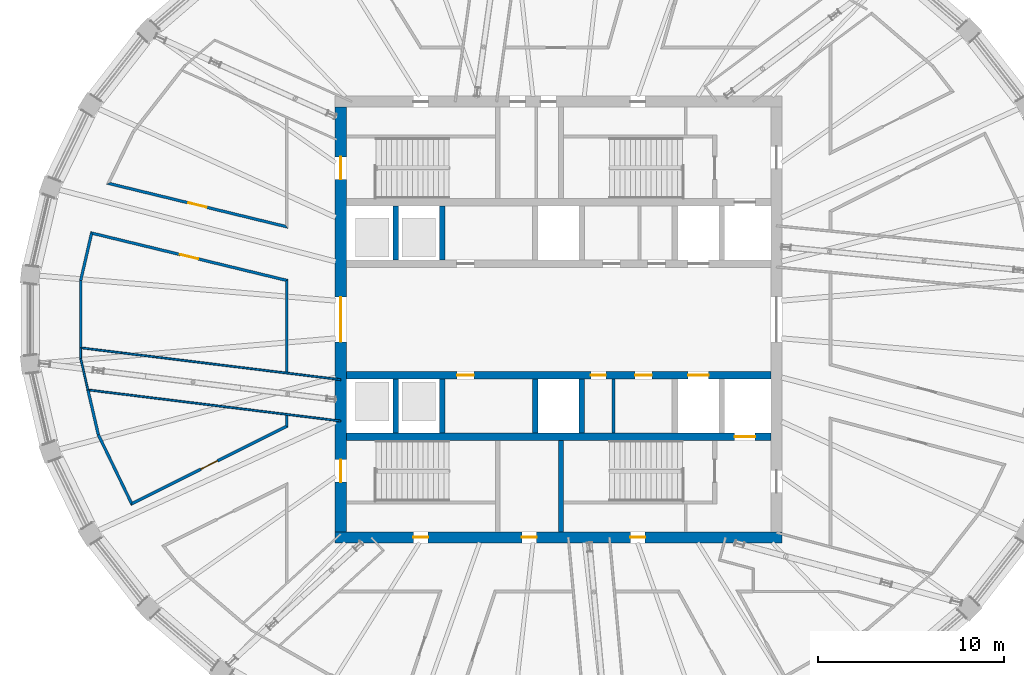
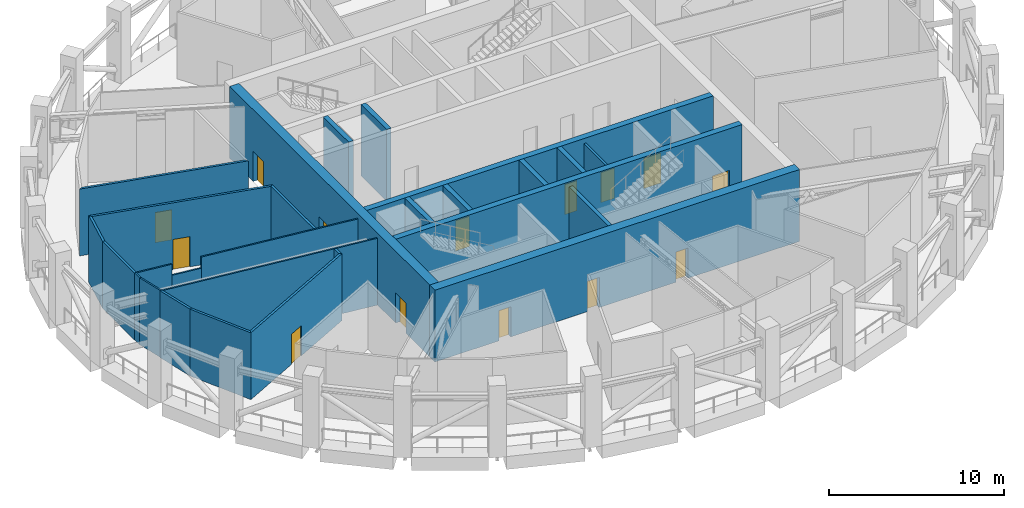
# One storey, part 8 of 20: 27 walls, 14 doors, 14 openings.
"""IFC4 building model written with IfcOpenShell, lengths in metres."""

from ifc_helpers import new_model, si_unit, direction, frame, frame_2d, origin, place, context, subcontext, project, spatial, polyline, rectangle, outline, extrude, material, layer, layer_set, type_object, element, fill, save


model = new_model("IFC4")

# Units and contexts
model_context = context("Model", 3, precision=1e-05, world=origin(), true_north=direction((0.0, 1.0)))
body_context = subcontext(model_context, "Body", "Model", "MODEL_VIEW")
ifc_project = project(units=[si_unit("LENGTHUNIT", "METRE"), si_unit("AREAUNIT", "SQUARE_METRE"), si_unit("VOLUMEUNIT", "CUBIC_METRE"), si_unit("PLANEANGLEUNIT", "RADIAN"), si_unit("MASSUNIT", "GRAM", prefix="KILO")], contexts=[model_context])

# Site, building, storey
site_placement = place(None, origin())
site = spatial("IfcSite", under=ifc_project, at=site_placement, CompositionType="ELEMENT")
building_placement = place(site_placement, origin())
building = spatial("IfcBuilding", under=site, at=building_placement, Name="Halqa Exchange Tower", CompositionType="ELEMENT")
storey_placement = place(building_placement, frame((0.0, 0.0, 328.300048828125)))
storey = spatial("IfcBuildingStorey", under=building, at=storey_placement, Name="L77", CompositionType="ELEMENT", Elevation=328.300048828125)

# Walls
ifc_material_1 = material(Name="Fire-rated gypsum board")
ifc_layer_1 = layer(ifc_material_1, 0.14990234375)
ifc_layer_set_1 = layer_set([ifc_layer_1], Name="Fire-rated gypsum board")
wall_type_1 = type_object("IfcWallType", Name="Fire partition EI 60 150", PredefinedType="PARTITIONING", material=ifc_layer_set_1)
wall_1_placement = place(storey_placement, frame((-25.659912109375, 2.0986328125, 0.0), z_axis=(0.0, 0.0, 1.0), x_axis=(0.0, -1.0, 0.0)))
element("IfcWall", 1, at=wall_1_placement, inside=storey, type_object=wall_type_1, Name="L77-PWL-004", PredefinedType="PARTITIONING", context=body_context, shape_type="SweptSolid", body=[
    extrude(outline(polyline([(3.61865234375, 0.074951171875), (1.81787109375, 0.074951171875), (0.01708984375, 0.074951171875), (0.0, -0.074951171875), (1.809326171875, -0.074951171875), (3.61865234375, -0.074951171875), (3.61865234375, 0.074951171875)])), origin(), (0.0, 0.0, 1.0), 4.64990234375),
])
wall_2_placement = place(storey_placement, frame((-25.27001953125, -3.780029296875, 0.0), z_axis=(0.0, 0.0, 1.0), x_axis=(0.226374638152, -0.974040308818, 0.0)))
element("IfcWall", 2, at=wall_2_placement, inside=storey, type_object=wall_type_1, Name="L77-PWL-005", PredefinedType="PARTITIONING", context=body_context, shape_type="SweptSolid", body=[
    extrude(outline(polyline([(0.0, -0.074951171875), (2.482421875, -0.074951171875), (2.4658203125, 0.074951171875), (0.0, 0.074951171875), (0.0, -0.074951171875)])), origin(), (0.0, 0.0, 1.0), 4.64990234375),
])
wall_3_placement = place(storey_placement, frame((-25.052978515625, 4.7138671875, 0.0), z_axis=(0.0, 0.0, 1.0), x_axis=(-0.225380874536, -0.974270733109, 0.0)))
element("IfcWall", 3, at=wall_3_placement, inside=storey, type_object=wall_type_1, Name="L77-PWL-007", PredefinedType="PARTITIONING", context=body_context, shape_type="SweptSolid", body=[
    extrude(outline(polyline([(2.70166015625, -0.074951171875), (2.70166015625, -0.074462890625), (2.6845703125, 0.074951171875), (1.41796875, 0.074951171875), (0.151611328125, 0.074951171875), (0.0, -0.074951171875), (0.0, -0.074951171875), (1.350830078125, -0.074951171875), (2.70166015625, -0.074951171875)])), origin(), (0.0, 0.0, 1.0), 4.64990234375),
])
wall_4_placement = place(storey_placement, frame((-24.713623046875, -6.1826171875, 0.0), z_axis=(0.0, 0.0, 1.0), x_axis=(0.435487900819, -0.900194583543, 0.0)))
element("IfcWall", 4, at=wall_4_placement, inside=storey, type_object=wall_type_1, Name="L77-PWL-008", PredefinedType="PARTITIONING", context=body_context, shape_type="SweptSolid", body=[
    extrude(outline(polyline([(0.0, -0.074951171875), (1.398193359375, -0.074951171875), (2.79638671875, -0.074951171875), (4.194580078125, -0.074951171875), (4.042724609375, 0.074951171875), (2.70068359375, 0.074951171875), (1.358642578125, 0.074951171875), (0.0166015625, 0.074951171875), (0.0, -0.07373046875), (0.0, -0.074951171875)])), origin(), (0.0, 0.0, 1.0), 4.64990234375),
])

# Wall, opening, door
wall_5_placement = place(storey_placement, frame((-24.26025390625, 7.33203125, 0.0), z_axis=(0.0, 0.0, 1.0), x_axis=(0.971617763283, -0.236556382439, 0.0)))
wall_5 = element("IfcWall", 5, at=wall_5_placement, inside=storey, type_object=wall_type_1, Name="L77-PWL-009", PredefinedType="PARTITIONING", context=body_context, shape_type="SweptSolid", body=[
    extrude(outline(polyline([(0.000244140625, -0.074951171875), (1.673095703125, -0.074951171875), (3.345947265625, -0.074951171875), (5.01904296875, -0.074951171875), (6.69189453125, -0.074951171875), (8.36474609375, -0.074951171875), (10.037841796875, -0.074951171875), (9.846923828125, 0.074951171875), (7.914794921875, 0.074951171875), (5.982421875, 0.074951171875), (4.05029296875, 0.074951171875), (2.117919921875, 0.074951171875), (0.185791015625, 0.074951171875), (0.000244140625, -0.074951171875)])), origin(), (0.0, 0.0, 1.0), 4.64990234375),
])
opening_1_placement = place(wall_5_placement, frame((4.517578125, 0.0, 0.0)))
opening_1 = element("IfcOpeningElement", 6, at=opening_1_placement, cuts=wall_5, Name="Opening L77-14", PredefinedType="OPENING", context=body_context, shape_type="SweptSolid", body=[
    extrude(rectangle(XDim=1.0, YDim=2.10009765625, at=frame_2d((0.5, 1.050048828125))), frame((0.0, 0.0869140625, 0.0), z_axis=(0.0, -1.0, 0.0), x_axis=(1.0, 0.0, 0.0)), (0.0, 0.0, 1.0), 0.173828125),
])
ifc_material_2 = material(Name="Steel fire door leaf", Category="steel")
door_type_1 = type_object("IfcDoorType", Name="Fire door FD30S 1000 x 2100", OperationType="SINGLE_SWING_LEFT", PredefinedType="DOOR", material=ifc_material_2)
door_1_placement = place(opening_1_placement, origin())
door_1 = element("IfcDoor", 7, at=door_1_placement, inside=storey, type_object=door_type_1, Name="L77-IDR-014", OperationType="SINGLE_SWING_RIGHT", OverallHeight=2.10009765625, OverallWidth=1.0, PredefinedType="DOOR", context=body_context, shape_type="SweptSolid", body=[
    extrude(rectangle(XDim=1.0, YDim=2.10009765625, at=frame_2d((0.5, 1.050048828125))), frame((0.0, 0.02490234375, 0.0), z_axis=(0.0, -1.0, 0.0), x_axis=(1.0, 0.0, 0.0)), (0.0, 0.0, 1.0), 0.050048828125),
])
fill(opening_1, door_1)

wall_6_placement = place(storey_placement, frame((-22.988037109375, -9.924072265625, 0.0), z_axis=(0.0, 0.0, 1.0), x_axis=(0.894422009939, 0.447223957471, 0.0)))
wall_6 = element("IfcWall", 8, at=wall_6_placement, inside=storey, type_object=wall_type_1, Name="L77-PWL-010", PredefinedType="PARTITIONING", context=body_context, shape_type="SweptSolid", body=[
    extrude(outline(polyline([(0.0, -0.074951171875), (1.885009765625, -0.074951171875), (3.769775390625, -0.074951171875), (5.65478515625, -0.074951171875), (7.53955078125, -0.074951171875), (9.42431640625, -0.074951171875), (9.331787109375, 0.074951171875), (7.495849609375, 0.074951171875), (5.659912109375, 0.074951171875), (3.823974609375, 0.074951171875), (1.988037109375, 0.074951171875), (0.152099609375, 0.074951171875), (0.0, -0.074951171875)])), origin(), (0.0, 0.0, 1.0), 4.64990234375),
])
opening_2_placement = place(wall_6_placement, frame((4.22705078125, 0.0, 0.0)))
opening_2 = element("IfcOpeningElement", 9, at=opening_2_placement, cuts=wall_6, Name="Opening L77-01", PredefinedType="OPENING", context=body_context, shape_type="SweptSolid", body=[
    extrude(rectangle(XDim=1.0, YDim=2.10009765625, at=frame_2d((0.5, 1.050048828125))), frame((0.0, 0.0869140625, 0.0), z_axis=(0.0, -1.0, 0.0), x_axis=(1.0, 0.0, 0.0)), (0.0, 0.0, 1.0), 0.173828125),
])
door_2_placement = place(opening_2_placement, origin())
door_2 = element("IfcDoor", 10, at=door_2_placement, inside=storey, type_object=door_type_1, Name="L77-IDR-001", OperationType="SINGLE_SWING_RIGHT", OverallHeight=2.10009765625, OverallWidth=1.0, PredefinedType="DOOR", context=body_context, shape_type="SweptSolid", body=[
    extrude(rectangle(XDim=1.0, YDim=2.10009765625, at=frame_2d((0.5, 1.050048828125))), frame((0.0, 0.02490234375, 0.0), z_axis=(0.0, -1.0, 0.0), x_axis=(1.0, 0.0, 0.0)), (0.0, 0.0, 1.0), 0.050048828125),
])
fill(opening_2, door_2)

# Walls
wall_7_placement = place(storey_placement, frame((-14.60009765625, -5.7763671875, 0.0), z_axis=(0.0, 0.0, 1.0), x_axis=(0.0, 1.0, 0.0)))
element("IfcWall", 11, at=wall_7_placement, inside=storey, type_object=wall_type_1, Name="L77-PWL-026", PredefinedType="PARTITIONING", context=body_context, shape_type="SweptSolid", body=[
    extrude(outline(polyline([(0.0, -0.074951171875), (0.62353515625, -0.074951171875), (0.641845703125, 0.072998046875), (0.641845703125, 0.074951171875), (0.0927734375, 0.074951171875), (0.0927734375, 0.074951171875), (0.0927734375, 0.074951171875), (0.04638671875, 0.0), (0.0, -0.074951171875)])), origin(), (0.0, 0.0, 1.0), 4.64990234375),
])
wall_8_placement = place(storey_placement, frame((-14.60009765625, -2.83349609375, 0.0), z_axis=(0.0, 0.0, 1.0), x_axis=(0.0, 1.0, 0.0)))
element("IfcWall", 12, at=wall_8_placement, inside=storey, type_object=wall_type_1, Name="L77-PWL-027", PredefinedType="PARTITIONING", context=body_context, shape_type="SweptSolid", body=[
    extrude(outline(polyline([(0.0, -0.074951171875), (1.6640625, -0.074951171875), (3.328125, -0.074951171875), (4.992431640625, -0.074951171875), (4.93359375, 0.0), (4.87451171875, 0.074951171875), (4.87451171875, 0.074951171875), (4.87451171875, 0.074951171875), (3.255859375, 0.074951171875), (1.636962890625, 0.074951171875), (0.018310546875, 0.074951171875), (0.0, -0.073974609375), (0.0, -0.074951171875)])), origin(), (0.0, 0.0, 1.0), 4.64990234375),
])

# Wall, opening, door
wall_9_placement = place(storey_placement, frame((-14.542724609375, 2.086181640625, 0.0), z_axis=(0.0, 0.0, 1.0), x_axis=(-0.971811892491, 0.23575759927, 0.0)))
wall_9 = element("IfcWall", 13, at=wall_9_placement, inside=storey, type_object=wall_type_1, Name="L77-PWL-028", PredefinedType="PARTITIONING", context=body_context, shape_type="SweptSolid", body=[
    extrude(outline(polyline([(0.0, -0.074951171875), (1.818115234375, -0.074951171875), (3.63623046875, -0.074951171875), (5.4541015625, -0.074951171875), (7.272216796875, -0.074951171875), (9.09033203125, -0.074951171875), (10.908447265625, -0.074951171875), (10.7568359375, 0.074951171875), (8.983642578125, 0.074951171875), (7.21044921875, 0.074951171875), (5.437255859375, 0.074951171875), (3.6640625, 0.074951171875), (1.890869140625, 0.074951171875), (0.117919921875, 0.074951171875), (0.0, -0.074951171875), (0.0, -0.074951171875)])), origin(), (0.0, 0.0, 1.0), 4.64990234375),
])
opening_3_placement = place(wall_9_placement, frame((4.94580078125, 0.0, 0.0)))
opening_3 = element("IfcOpeningElement", 14, at=opening_3_placement, cuts=wall_9, Name="Opening L77-15", PredefinedType="OPENING", context=body_context, shape_type="SweptSolid", body=[
    extrude(rectangle(XDim=1.0, YDim=2.10009765625, at=frame_2d((0.5, 1.050048828125))), frame((0.0, 0.0869140625, 0.0), z_axis=(0.0, -1.0, 0.0), x_axis=(1.0, 0.0, 0.0)), (0.0, 0.0, 1.0), 0.173828125),
])
door_3_placement = place(opening_3_placement, origin())
door_3 = element("IfcDoor", 15, at=door_3_placement, inside=storey, type_object=door_type_1, Name="L77-IDR-015", OperationType="SINGLE_SWING_RIGHT", OverallHeight=2.10009765625, OverallWidth=1.0, PredefinedType="DOOR", context=body_context, shape_type="SweptSolid", body=[
    extrude(rectangle(XDim=1.0, YDim=2.10009765625, at=frame_2d((0.5, 1.050048828125))), frame((0.0, 0.02490234375, 0.0), z_axis=(0.0, -1.0, 0.0), x_axis=(1.0, 0.0, 0.0)), (0.0, 0.0, 1.0), 0.050048828125),
])
fill(opening_3, door_3)

# Walls
ifc_material_3 = material(Name="Gypsum board")
ifc_layer_2 = layer(ifc_material_3, 0.10009765625)
ifc_layer_set_2 = layer_set([ifc_layer_2], Name="Gypsum board")
wall_type_2 = type_object("IfcWallType", Name="Partition 100 gypsum", PredefinedType="PARTITIONING", material=ifc_layer_set_2)
wall_10_placement = place(storey_placement, frame((-25.661376953125, -2.08447265625, 0.0), z_axis=(0.0, 0.0, 1.0), x_axis=(0.224900492943, -0.974381736423, 0.0)))
element("IfcWall", 16, at=wall_10_placement, inside=storey, type_object=wall_type_2, Name="L77-PWL-001", PredefinedType="PARTITIONING", context=body_context, shape_type="SweptSolid", body=[
    extrude(outline(polyline([(1.740234375, 0.050048828125), (0.011474609375, 0.050048828125), (0.0, -0.0498046875), (0.0, -0.050048828125), (1.740234375, -0.050048828125), (1.740234375, 0.050048828125)])), origin(), (0.0, 0.0, 1.0), 4.64990234375),
])
wall_11_placement = place(storey_placement, frame((-25.659912109375, -1.52001953125, 0.0), z_axis=(0.0, 0.0, 1.0), x_axis=(0.0, -1.0, 0.0)))
element("IfcWall", 17, at=wall_11_placement, inside=storey, type_object=wall_type_2, Name="L77-PWL-002", PredefinedType="PARTITIONING", context=body_context, shape_type="SweptSolid", body=[
    extrude(outline(polyline([(0.0, -0.050048828125), (0.57568359375, -0.050048828125), (0.564208984375, 0.050048828125), (0.0, 0.050048828125), (0.0, -0.050048828125)])), origin(), (0.0, 0.0, 1.0), 4.64990234375),
])
wall_12_placement = place(storey_placement, frame((-25.603515625, -1.52685546875, 0.0), z_axis=(0.0, 0.0, 1.0), x_axis=(0.992575334339, -0.12163143369, 0.0)))
element("IfcWall", 18, at=wall_12_placement, inside=storey, type_object=wall_type_2, Name="L77-PWL-003", PredefinedType="PARTITIONING", context=body_context, shape_type="SweptSolid", body=[
    extrude(outline(polyline([(2.17578125, 0.050048828125), (0.012451171875, 0.050048828125), (0.017578125, 0.009033203125), (0.0, 0.0068359375), (0.0, -0.050048828125), (2.17578125, -0.050048828125), (2.17578125, 0.050048828125)])), origin(), (0.0, 0.0, 1.0), 4.64990234375),
])
wall_13_placement = place(storey_placement, frame((-25.23486328125, -3.7841796875, 0.0), z_axis=(0.0, 0.0, 1.0), x_axis=(0.992511578582, -0.122150588948, 0.0)))
element("IfcWall", 19, at=wall_13_placement, inside=storey, type_object=wall_type_2, Name="L77-PWL-006", PredefinedType="PARTITIONING", context=body_context, shape_type="SweptSolid", body=[
    extrude(outline(polyline([(0.062744140625, -0.050048828125), (1.8515625, -0.050048828125), (3.640380859375, -0.050048828125), (5.428955078125, -0.050048828125), (7.2177734375, -0.050048828125), (9.006591796875, -0.050048828125), (10.795166015625, -0.050048828125), (10.796875, -0.0498046875), (10.796875, -0.050048828125), (12.216796875, -0.050048828125), (13.636962890625, -0.050048828125), (13.636962890625, 0.050048828125), (11.688720703125, 0.050048828125), (9.74072265625, 0.050048828125), (7.79248046875, 0.050048828125), (5.844482421875, 0.050048828125), (3.896240234375, 0.050048828125), (1.9482421875, 0.050048828125), (0.0, 0.050048828125), (0.0, 0.048828125), (0.011474609375, 0.01708984375), (0.03515625, 0.025634765625), (0.062744140625, -0.050048828125)])), origin(), (0.0, 0.0, 1.0), 4.64990234375),
])
wall_14_placement = place(storey_placement, frame((-23.44384765625, -1.79150390625, 0.0), z_axis=(0.0, 0.0, 1.0), x_axis=(0.992587046321, -0.121535819719, 0.0)))
element("IfcWall", 20, at=wall_14_placement, inside=storey, type_object=wall_type_2, Name="L77-PWL-097", PredefinedType="PARTITIONING", context=body_context, shape_type="SweptSolid", body=[
    extrude(outline(polyline([(0.0, 0.050048828125), (0.0, -0.050048828125), (1.828125, -0.050048828125), (1.828125, 0.050048828125), (0.0, 0.050048828125)])), origin(), (0.0, 0.0, 1.0), 3.8798828125),
])
wall_15_placement = place(storey_placement, frame((-21.62939453125, -2.013671875, 0.0), z_axis=(0.0, 0.0, 1.0), x_axis=(0.992580859713, -0.121586335302, 0.0)))
element("IfcWall", 21, at=wall_15_placement, inside=storey, type_object=wall_type_2, Name="L77-PWL-098", PredefinedType="PARTITIONING", context=body_context, shape_type="SweptSolid", body=[
    extrude(outline(polyline([(0.0, 0.050048828125), (0.0, -0.050048828125), (1.667236328125, -0.050048828125), (3.33447265625, -0.050048828125), (5.001953125, -0.050048828125), (6.669189453125, -0.050048828125), (8.33642578125, -0.050048828125), (10.003662109375, -0.050048828125), (10.003662109375, 0.050048828125), (8.33642578125, 0.050048828125), (6.669189453125, 0.050048828125), (5.001953125, 0.050048828125), (3.33447265625, 0.050048828125), (1.667236328125, 0.050048828125), (0.0, 0.050048828125)])), origin(), (0.0, 0.0, 1.0), 4.64990234375),
])
ifc_layer_3 = layer(ifc_material_3, 0.14990234375)
ifc_layer_set_3 = layer_set([ifc_layer_3], Name="Gypsum board")
wall_type_3 = type_object("IfcWallType", Name="Penthouse riser wall 150 gypsum", PredefinedType="PARTITIONING", material=ifc_layer_set_3)
wall_16_placement = place(storey_placement, frame((2.949951171875, -6.10009765625, 0.0), z_axis=(0.0, 0.0, 1.0), x_axis=(0.0, 1.0, 0.0)))
element("IfcWall", 22, at=wall_16_placement, inside=storey, type_object=wall_type_3, Name="Freed bay partition SE2.950", PredefinedType="PARTITIONING", context=body_context, shape_type="SweptSolid", body=[
    extrude(rectangle(XDim=2.900146484375, YDim=0.14990234375, at=frame_2d((1.4501953125, 0.0))), origin(), (0.0, 0.0, 1.0), 4.64990234375),
])
ifc_material_4 = material(Name="Concrete C60/75", Category="concrete")
ifc_layer_4 = layer(ifc_material_4, 0.300048828125)
ifc_layer_set_4 = layer_set([ifc_layer_4], Name="Concrete C60/75")
wall_type_4 = type_object("IfcWallType", Name="RC core wall 300", PredefinedType="SHEAR", material=ifc_layer_set_4)
for number, where, z_axis, x_axis, name in (
    (23, (-8.75, 3.199951171875, 0.0), (0.0, 0.0, 1.0), (0.0, 1.0, 0.0), "Shaft divider N1"),
    (24, (-6.25, 3.199951171875, 0.0), (0.0, 0.0, 1.0), (0.0, 1.0, 0.0), "Shaft divider N2"),
    (25, (-8.75, -6.10009765625, 0.0), (0.0, 0.0, 1.0), (0.0, 1.0, 0.0), "Shaft divider S1"),
    (26, (-6.25, -6.10009765625, 0.0), (0.0, 0.0, 1.0), (0.0, 1.0, 0.0), "Shaft divider S2"),
    (27, (-1.25, -6.10009765625, 0.0), (0.0, 0.0, 1.0), (0.0, 1.0, 0.0), "Shaft divider S4"),
    (28, (1.25, -6.10009765625, 0.0), (0.0, 0.0, 1.0), (0.0, 1.0, 0.0), "Shaft divider S5"),
):
    element("IfcWall", number, at=place(storey_placement, frame(where, z_axis=z_axis, x_axis=x_axis)), inside=storey, type_object=wall_type_4, Name=name, PredefinedType="SHEAR", context=body_context, shape_type="SweptSolid", body=[
        extrude(rectangle(XDim=2.900146484375, YDim=0.300048828125, at=frame_2d((1.4501953125, 0.0))), origin(), (0.0, 0.0, 1.0), 5.0),
    ])

# Wall, openings, doors
ifc_layer_5 = layer(ifc_material_4, 0.39990234375)
ifc_layer_set_5 = layer_set([ifc_layer_5], Name="Concrete C60/75")
wall_type_5 = type_object("IfcWallType", Name="RC core wall 400 C60/75", PredefinedType="SHEAR", material=ifc_layer_set_5)
wall_17_placement = place(storey_placement, frame((-11.39990234375, -3.0, 0.0), z_axis=(0.0, 0.0, 1.0), x_axis=(1.0, 0.0, 0.0)))
wall_17 = element("IfcWall", 29, at=wall_17_placement, inside=storey, type_object=wall_type_5, Name="Lift row front wall S", PredefinedType="SHEAR", context=body_context, shape_type="SweptSolid", body=[
    extrude(rectangle(XDim=22.7998046875, YDim=0.39990234375, at=frame_2d((11.39990234375, 0.0))), origin(), (0.0, 0.0, 1.0), 5.0),
])
opening_4_placement = place(wall_17_placement, frame((18.35009765625, 0.0, 0.0)))
opening_4 = element("IfcOpeningElement", 30, at=opening_4_placement, cuts=wall_17, Name="Opening LD-SV2-L77", PredefinedType="OPENING", context=body_context, shape_type="SweptSolid", body=[
    extrude(rectangle(XDim=1.10009765625, YDim=2.10009765625, at=frame_2d((0.550048828125, 1.050048828125))), frame((0.0, 0.2119140625, 0.0), z_axis=(0.0, -1.0, 0.0), x_axis=(1.0, 0.0, 0.0)), (0.0, 0.0, 1.0), 0.423828125),
])
opening_5_placement = place(wall_17_placement, frame((13.137451171875, 0.0, 0.0)))
opening_5 = element("IfcOpeningElement", 31, at=opening_5_placement, cuts=wall_17, Name="Opening L77-C23", PredefinedType="OPENING", context=body_context, shape_type="SweptSolid", body=[
    extrude(rectangle(XDim=0.800048828125, YDim=2.10009765625, at=frame_2d((0.39990234375, 1.050048828125))), frame((0.0, 0.2119140625, 0.0), z_axis=(0.0, -1.0, 0.0), x_axis=(1.0, 0.0, 0.0)), (0.0, 0.0, 1.0), 0.423828125),
])
opening_6_placement = place(wall_17_placement, frame((15.512451171875, 0.0, 0.0)))
opening_6 = element("IfcOpeningElement", 32, at=opening_6_placement, cuts=wall_17, Name="Opening L77-C24", PredefinedType="OPENING", context=body_context, shape_type="SweptSolid", body=[
    extrude(rectangle(XDim=0.89990234375, YDim=2.10009765625, at=frame_2d((0.449951171875, 1.050048828125))), frame((0.0, 0.2119140625, 0.0), z_axis=(0.0, -1.0, 0.0), x_axis=(1.0, 0.0, 0.0)), (0.0, 0.0, 1.0), 0.423828125),
])
opening_7_placement = place(wall_17_placement, frame((5.949951171875, 0.0, 0.0)))
opening_7 = element("IfcOpeningElement", 33, at=opening_7_placement, cuts=wall_17, Name="Opening L77-C25", PredefinedType="OPENING", context=body_context, shape_type="SweptSolid", body=[
    extrude(rectangle(XDim=0.89990234375, YDim=2.10009765625, at=frame_2d((0.449951171875, 1.050048828125))), frame((0.0, 0.2119140625, 0.0), z_axis=(0.0, -1.0, 0.0), x_axis=(1.0, 0.0, 0.0)), (0.0, 0.0, 1.0), 0.423828125),
])
ifc_material_5 = material(Name="Timber fire door leaf", Category="wood")
door_type_2 = type_object("IfcDoorType", Name="Core room door FD30 900 x 2100", OperationType="SINGLE_SWING_LEFT", PredefinedType="DOOR", material=ifc_material_5)
door_4_placement = place(opening_6_placement, frame((0.89990234375, 0.0, 0.0), z_axis=(0.0, 0.0, 1.0), x_axis=(-1.0, 0.0, 0.0)))
door_4 = element("IfcDoor", 34, at=door_4_placement, inside=storey, type_object=door_type_2, Name="Core room door", OperationType="SINGLE_SWING_LEFT", OverallHeight=2.10009765625, OverallWidth=0.89990234375, PredefinedType="DOOR", context=body_context, shape_type="SweptSolid", body=[
    extrude(rectangle(XDim=0.89990234375, YDim=2.10009765625, at=frame_2d((0.449951171875, 1.050048828125))), frame((0.0, 0.02490234375, 0.0), z_axis=(0.0, -1.0, 0.0), x_axis=(1.0, 0.0, 0.0)), (0.0, 0.0, 1.0), 0.050048828125),
])
fill(opening_6, door_4)
door_5_placement = place(opening_7_placement, frame((0.89990234375, 0.0, 0.0), z_axis=(0.0, 0.0, 1.0), x_axis=(-1.0, 0.0, 0.0)))
door_5 = element("IfcDoor", 35, at=door_5_placement, inside=storey, type_object=door_type_2, Name="Core room door", OperationType="SINGLE_SWING_LEFT", OverallHeight=2.10009765625, OverallWidth=0.89990234375, PredefinedType="DOOR", context=body_context, shape_type="SweptSolid", body=[
    extrude(rectangle(XDim=0.89990234375, YDim=2.10009765625, at=frame_2d((0.449951171875, 1.050048828125))), frame((0.0, 0.02490234375, 0.0), z_axis=(0.0, -1.0, 0.0), x_axis=(1.0, 0.0, 0.0)), (0.0, 0.0, 1.0), 0.050048828125),
])
fill(opening_7, door_5)
ifc_material_6 = material(Name="Stainless steel", Category="steel")
door_type_3 = type_object("IfcDoorType", Name="Lift landing door 1100 x 2100", OperationType="SLIDING_TO_LEFT", PredefinedType="DOOR", material=ifc_material_6)
door_6_placement = place(opening_4_placement, origin())
door_6 = element("IfcDoor", 36, at=door_6_placement, inside=storey, type_object=door_type_3, Name="Lift landing door SV2", OperationType="SLIDING_TO_LEFT", OverallHeight=2.10009765625, OverallWidth=1.10009765625, PredefinedType="DOOR", context=body_context, shape_type="SweptSolid", body=[
    extrude(rectangle(XDim=1.10009765625, YDim=2.10009765625, at=frame_2d((0.550048828125, 1.050048828125))), frame((0.0, 0.02490234375, 0.0), z_axis=(0.0, -1.0, 0.0), x_axis=(1.0, 0.0, 0.0)), (0.0, 0.0, 1.0), 0.050048828125),
])
fill(opening_4, door_6)
door_type_4 = type_object("IfcDoorType", Name="Riser door FD60 800 x 2100", OperationType="SINGLE_SWING_LEFT", PredefinedType="DOOR", material=ifc_material_2)
door_7_placement = place(opening_5_placement, frame((0.800048828125, 0.0, 0.0), z_axis=(0.0, 0.0, 1.0), x_axis=(-1.0, 0.0, 0.0)))
door_7 = element("IfcDoor", 37, at=door_7_placement, inside=storey, type_object=door_type_4, Name="Core room door", OperationType="SINGLE_SWING_RIGHT", OverallHeight=2.10009765625, OverallWidth=0.800048828125, PredefinedType="DOOR", context=body_context, shape_type="SweptSolid", body=[
    extrude(rectangle(XDim=0.800048828125, YDim=2.10009765625, at=frame_2d((0.39990234375, 1.050048828125))), frame((0.0, 0.02490234375, 0.0), z_axis=(0.0, -1.0, 0.0), x_axis=(1.0, 0.0, 0.0)), (0.0, 0.0, 1.0), 0.050048828125),
])
fill(opening_5, door_7)

# Wall, opening, door
wall_18_placement = place(storey_placement, frame((-11.39990234375, -6.300048828125, 0.0), z_axis=(0.0, 0.0, 1.0), x_axis=(1.0, 0.0, 0.0)))
wall_18 = element("IfcWall", 38, at=wall_18_placement, inside=storey, type_object=wall_type_5, Name="Lift row back wall S", PredefinedType="SHEAR", context=body_context, shape_type="SweptSolid", body=[
    extrude(rectangle(XDim=22.7998046875, YDim=0.39990234375, at=frame_2d((11.39990234375, 0.0))), origin(), (0.0, 0.0, 1.0), 5.0),
])
opening_8_placement = place(wall_18_placement, frame((20.85009765625, 0.0, 0.0)))
opening_8 = element("IfcOpeningElement", 39, at=opening_8_placement, cuts=wall_18, Name="Opening LD-FF2-L77", PredefinedType="OPENING", context=body_context, shape_type="SweptSolid", body=[
    extrude(rectangle(XDim=1.10009765625, YDim=2.10009765625, at=frame_2d((0.550048828125, 1.050048828125))), frame((0.0, 0.2119140625, 0.0), z_axis=(0.0, -1.0, 0.0), x_axis=(1.0, 0.0, 0.0)), (0.0, 0.0, 1.0), 0.423828125),
])
door_8_placement = place(opening_8_placement, origin())
door_8 = element("IfcDoor", 40, at=door_8_placement, inside=storey, type_object=door_type_3, Name="Lift landing door FF2", OperationType="SLIDING_TO_LEFT", OverallHeight=2.10009765625, OverallWidth=1.10009765625, PredefinedType="DOOR", context=body_context, shape_type="SweptSolid", body=[
    extrude(rectangle(XDim=1.10009765625, YDim=2.10009765625, at=frame_2d((0.550048828125, 1.050048828125))), frame((0.0, 0.02490234375, 0.0), z_axis=(0.0, -1.0, 0.0), x_axis=(1.0, 0.0, 0.0)), (0.0, 0.0, 1.0), 0.050048828125),
])
fill(opening_8, door_8)

# Wall, openings, doors
ifc_layer_6 = layer(ifc_material_4, 0.60009765625)
ifc_layer_set_6 = layer_set([ifc_layer_6], Name="Concrete C60/75")
wall_type_6 = type_object("IfcWallType", Name="RC core wall 600 C60/75", PredefinedType="SHEAR", material=ifc_layer_set_6)
wall_19_placement = place(storey_placement, frame((-12.0, -11.699951171875, 0.0), z_axis=(0.0, 0.0, 1.0), x_axis=(1.0, 0.0, 0.0)))
wall_19 = element("IfcWall", 41, at=wall_19_placement, inside=storey, type_object=wall_type_6, Name="Core wall south", PredefinedType="SHEAR", context=body_context, shape_type="SweptSolid", body=[
    extrude(rectangle(XDim=24.0, YDim=0.60009765625, at=frame_2d((12.0, 0.0))), origin(), (0.0, 0.0, 1.0), 5.0),
])
opening_9_placement = place(wall_19_placement, frame((10.02490234375, 0.0, 0.0)))
opening_9 = element("IfcOpeningElement", 42, at=opening_9_placement, cuts=wall_19, Name="Opening L77-C17", PredefinedType="OPENING", context=body_context, shape_type="SweptSolid", body=[
    extrude(rectangle(XDim=0.800048828125, YDim=2.10009765625, at=frame_2d((0.39990234375, 1.050048828125))), frame((0.0, 0.31201171875, 0.0), z_axis=(0.0, -1.0, 0.0), x_axis=(1.0, 0.0, 0.0)), (0.0, 0.0, 1.0), 0.6240234375),
])
opening_10_placement = place(wall_19_placement, frame((4.199951171875, 0.0, 0.0)))
opening_10 = element("IfcOpeningElement", 43, at=opening_10_placement, cuts=wall_19, Name="Opening L77-C18", PredefinedType="OPENING", context=body_context, shape_type="SweptSolid", body=[
    extrude(rectangle(XDim=0.800048828125, YDim=2.10009765625, at=frame_2d((0.39990234375, 1.050048828125))), frame((0.0, 0.31201171875, 0.0), z_axis=(0.0, -1.0, 0.0), x_axis=(1.0, 0.0, 0.0)), (0.0, 0.0, 1.0), 0.6240234375),
])
opening_11_placement = place(wall_19_placement, frame((15.85009765625, 0.0, 0.0)))
opening_11 = element("IfcOpeningElement", 44, at=opening_11_placement, cuts=wall_19, Name="Opening L77-C19", PredefinedType="OPENING", context=body_context, shape_type="SweptSolid", body=[
    extrude(rectangle(XDim=0.800048828125, YDim=2.10009765625, at=frame_2d((0.39990234375, 1.050048828125))), frame((0.0, 0.31201171875, 0.0), z_axis=(0.0, -1.0, 0.0), x_axis=(1.0, 0.0, 0.0)), (0.0, 0.0, 1.0), 0.6240234375),
])
door_9_placement = place(opening_9_placement, origin())
door_9 = element("IfcDoor", 45, at=door_9_placement, inside=storey, type_object=door_type_4, Name="Core room door", OperationType="SINGLE_SWING_LEFT", OverallHeight=2.10009765625, OverallWidth=0.800048828125, PredefinedType="DOOR", context=body_context, shape_type="SweptSolid", body=[
    extrude(rectangle(XDim=0.800048828125, YDim=2.10009765625, at=frame_2d((0.39990234375, 1.050048828125))), frame((0.0, 0.02490234375, 0.0), z_axis=(0.0, -1.0, 0.0), x_axis=(1.0, 0.0, 0.0)), (0.0, 0.0, 1.0), 0.050048828125),
])
fill(opening_9, door_9)
door_10_placement = place(opening_10_placement, origin())
door_10 = element("IfcDoor", 46, at=door_10_placement, inside=storey, type_object=door_type_4, Name="Core room door", OperationType="SINGLE_SWING_RIGHT", OverallHeight=2.10009765625, OverallWidth=0.800048828125, PredefinedType="DOOR", context=body_context, shape_type="SweptSolid", body=[
    extrude(rectangle(XDim=0.800048828125, YDim=2.10009765625, at=frame_2d((0.39990234375, 1.050048828125))), frame((0.0, 0.02490234375, 0.0), z_axis=(0.0, -1.0, 0.0), x_axis=(1.0, 0.0, 0.0)), (0.0, 0.0, 1.0), 0.050048828125),
])
fill(opening_10, door_10)
door_11_placement = place(opening_11_placement, origin())
door_11 = element("IfcDoor", 47, at=door_11_placement, inside=storey, type_object=door_type_4, Name="Core room door", OperationType="SINGLE_SWING_LEFT", OverallHeight=2.10009765625, OverallWidth=0.800048828125, PredefinedType="DOOR", context=body_context, shape_type="SweptSolid", body=[
    extrude(rectangle(XDim=0.800048828125, YDim=2.10009765625, at=frame_2d((0.39990234375, 1.050048828125))), frame((0.0, 0.02490234375, 0.0), z_axis=(0.0, -1.0, 0.0), x_axis=(1.0, 0.0, 0.0)), (0.0, 0.0, 1.0), 0.050048828125),
])
fill(opening_11, door_11)

wall_20_placement = place(storey_placement, frame((-11.699951171875, -11.39990234375, 0.0), z_axis=(0.0, 0.0, 1.0), x_axis=(0.0, 1.0, 0.0)))
wall_20 = element("IfcWall", 48, at=wall_20_placement, inside=storey, type_object=wall_type_6, Name="Core wall west", PredefinedType="SHEAR", context=body_context, shape_type="SweptSolid", body=[
    extrude(rectangle(XDim=22.7998046875, YDim=0.60009765625, at=frame_2d((11.39990234375, 0.0))), origin(), (0.0, 0.0, 1.0), 5.0),
])
opening_12_placement = place(wall_20_placement, frame((10.199951171875, 0.0, 0.0)))
opening_12 = element("IfcOpeningElement", 49, at=opening_12_placement, cuts=wall_20, Name="Opening L77-C05", PredefinedType="OPENING", context=body_context, shape_type="SweptSolid", body=[
    extrude(rectangle(XDim=2.39990234375, YDim=2.10009765625, at=frame_2d((1.199951171875, 1.050048828125))), frame((0.0, 0.31201171875, 0.0), z_axis=(0.0, -1.0, 0.0), x_axis=(1.0, 0.0, 0.0)), (0.0, 0.0, 1.0), 0.6240234375),
])
opening_13_placement = place(wall_20_placement, frame((18.925048828125, 0.0, 0.0)))
opening_13 = element("IfcOpeningElement", 50, at=opening_13_placement, cuts=wall_20, Name="Opening L77-C07", PredefinedType="OPENING", context=body_context, shape_type="SweptSolid", body=[
    extrude(rectangle(XDim=1.199951171875, YDim=2.10009765625, at=frame_2d((0.60009765625, 1.050048828125))), frame((0.0, 0.31201171875, 0.0), z_axis=(0.0, -1.0, 0.0), x_axis=(1.0, 0.0, 0.0)), (0.0, 0.0, 1.0), 0.6240234375),
])
opening_14_placement = place(wall_20_placement, frame((2.675048828125, 0.0, 0.0)))
opening_14 = element("IfcOpeningElement", 51, at=opening_14_placement, cuts=wall_20, Name="Opening L77-C09", PredefinedType="OPENING", context=body_context, shape_type="SweptSolid", body=[
    extrude(rectangle(XDim=1.199951171875, YDim=2.10009765625, at=frame_2d((0.60009765625, 1.050048828125))), frame((0.0, 0.31201171875, 0.0), z_axis=(0.0, -1.0, 0.0), x_axis=(1.0, 0.0, 0.0)), (0.0, 0.0, 1.0), 0.6240234375),
])
door_type_5 = type_object("IfcDoorType", Name="Lobby double door FD60 2400 x 2100", OperationType="DOUBLE_DOOR_SINGLE_SWING", PredefinedType="DOOR", material=ifc_material_2)
door_12_placement = place(opening_12_placement, origin())
door_12 = element("IfcDoor", 52, at=door_12_placement, inside=storey, type_object=door_type_5, Name="Lift lobby double door", OperationType="DOUBLE_DOOR_SINGLE_SWING", OverallHeight=2.10009765625, OverallWidth=2.39990234375, PredefinedType="DOOR", context=body_context, shape_type="SweptSolid", body=[
    extrude(rectangle(XDim=2.39990234375, YDim=2.10009765625, at=frame_2d((1.199951171875, 1.050048828125))), frame((0.0, 0.02490234375, 0.0), z_axis=(0.0, -1.0, 0.0), x_axis=(1.0, 0.0, 0.0)), (0.0, 0.0, 1.0), 0.050048828125),
])
fill(opening_12, door_12)
door_type_6 = type_object("IfcDoorType", Name="Stair door FD90 1200 x 2100", OperationType="SINGLE_SWING_LEFT", PredefinedType="DOOR", material=ifc_material_2)
door_13_placement = place(opening_13_placement, frame((1.199951171875, 0.0, 0.0), z_axis=(0.0, 0.0, 1.0), x_axis=(-1.0, 0.0, 0.0)))
door_13 = element("IfcDoor", 53, at=door_13_placement, inside=storey, type_object=door_type_6, Name="Stair door ST1", OperationType="SINGLE_SWING_LEFT", OverallHeight=2.10009765625, OverallWidth=1.199951171875, PredefinedType="DOOR", context=body_context, shape_type="SweptSolid", body=[
    extrude(rectangle(XDim=1.199951171875, YDim=2.10009765625, at=frame_2d((0.60009765625, 1.050048828125))), frame((0.0, 0.02490234375, 0.0), z_axis=(0.0, -1.0, 0.0), x_axis=(1.0, 0.0, 0.0)), (0.0, 0.0, 1.0), 0.050048828125),
])
fill(opening_13, door_13)
door_14_placement = place(opening_14_placement, frame((1.199951171875, 0.0, 0.0), z_axis=(0.0, 0.0, 1.0), x_axis=(-1.0, 0.0, 0.0)))
door_14 = element("IfcDoor", 54, at=door_14_placement, inside=storey, type_object=door_type_6, Name="Stair door ST3", OperationType="SINGLE_SWING_RIGHT", OverallHeight=2.10009765625, OverallWidth=1.199951171875, PredefinedType="DOOR", context=body_context, shape_type="SweptSolid", body=[
    extrude(rectangle(XDim=1.199951171875, YDim=2.10009765625, at=frame_2d((0.60009765625, 1.050048828125))), frame((0.0, 0.02490234375, 0.0), z_axis=(0.0, -1.0, 0.0), x_axis=(1.0, 0.0, 0.0)), (0.0, 0.0, 1.0), 0.050048828125),
])
fill(opening_14, door_14)

# Wall
ifc_material_7 = material(Name="Concrete C30/37", Category="concrete")
ifc_layer_7 = layer(ifc_material_7, 0.25)
ifc_layer_set_7 = layer_set([ifc_layer_7], Name="Concrete C30/37")
wall_type_7 = type_object("IfcWallType", Name="RC stair wall 250 C30/37", PredefinedType="SHEAR", material=ifc_layer_set_7)
wall_21_placement = place(storey_placement, frame((0.125, -11.39990234375, 0.0), z_axis=(0.0, 0.0, 1.0), x_axis=(0.0, 1.0, 0.0)))
element("IfcWall", 55, at=wall_21_placement, inside=storey, type_object=wall_type_7, Name="Stair ST2 west wall S", PredefinedType="SHEAR", context=body_context, shape_type="SweptSolid", body=[
    extrude(rectangle(XDim=4.89990234375, YDim=0.25, at=frame_2d((2.449951171875, 0.0))), origin(), (0.0, 0.0, 1.0), 4.64990234375),
])

save(model, "model.ifc")
